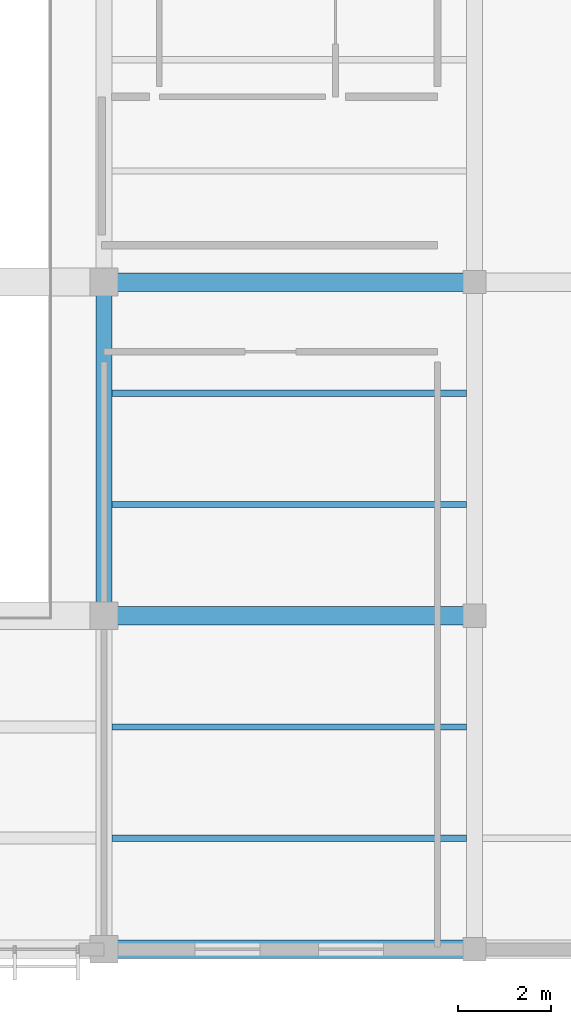
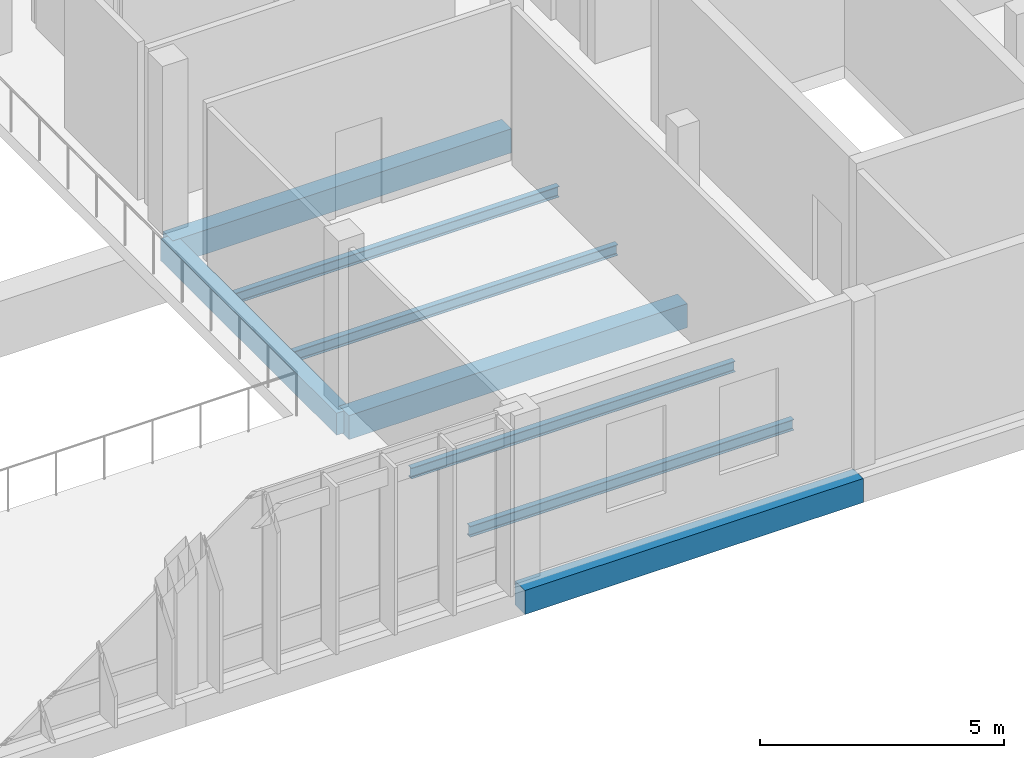
# One storey, part 18 of 182: 8 beams.
"""IFC4 building model written with IfcOpenShell, lengths in metres."""

from ifc_helpers import new_model, si_unit, direction, frame, origin, origin_2d, place, context, subcontext, project, spatial, rectangle, i_section, extrude, material, material_profile, profile_set, type_object, element, save


model = new_model("IFC4")

# Units and contexts
model_context = context("Model", 3, precision=1e-05, world=origin(), true_north=direction((0.0, 1.0)))
body_context = subcontext(model_context, "Body", "Model", "MODEL_VIEW")
ifc_project = project(units=[si_unit("LENGTHUNIT", "METRE"), si_unit("AREAUNIT", "SQUARE_METRE"), si_unit("VOLUMEUNIT", "CUBIC_METRE"), si_unit("PLANEANGLEUNIT", "RADIAN"), si_unit("MASSUNIT", "GRAM", prefix="KILO")], contexts=[model_context])

# Site, building, storey
site_placement = place(None, origin())
site = spatial("IfcSite", under=ifc_project, at=site_placement, CompositionType="ELEMENT")
building_placement = place(site_placement, origin())
building = spatial("IfcBuilding", under=site, at=building_placement, Name="Chiffa Square Polytechnic", CompositionType="ELEMENT")
storey_placement = place(building_placement, frame((0.0, 0.0, 9.60009765625)))
storey = spatial("IfcBuildingStorey", under=building, at=storey_placement, Name="L02", CompositionType="ELEMENT", Elevation=9.60009765625)

# Beams
ifc_material_1 = material(Name="Concrete C35/45", Category="concrete")
ifc_material_profile_1 = material_profile(ifc_material_1, rectangle(XDim=0.35009765625, YDim=0.550048828125, at=origin_2d()), Name="RC 350x550")
ifc_profile_set_1 = profile_set([ifc_material_profile_1], Name="Concrete C35/45")
beam_type_1 = type_object("IfcBeamType", Name="BM-RC-350X550", PredefinedType="BEAM", material=ifc_profile_set_1)
beam_placement = place(storey_placement, frame((24.0, 7.199951171875, -0.59521484375), z_axis=(0.0, 1.0, 0.0), x_axis=(-1.0, 0.0, 0.0)))
element("IfcBeam", 1, at=beam_placement, inside=storey, type_object=beam_type_1, Name="Primary floor girder BM-V3-L02-Y-0240-0072", PredefinedType="BEAM", context=body_context, shape_type="SweptSolid", body=[
    extrude(rectangle(XDim=0.35009765625, YDim=0.550048828125, at=origin_2d()), origin(), (0.0, 0.0, 1.0), 7.199951171875),
])
ifc_material_profile_2 = material_profile(ifc_material_1, rectangle(XDim=0.39990234375, YDim=0.60009765625, at=origin_2d()), Name="RC 400x600")
ifc_profile_set_2 = profile_set([ifc_material_profile_2], Name="Concrete C35/45")
beam_type_2 = type_object("IfcBeamType", Name="BM-RC-400X600", PredefinedType="BEAM", material=ifc_profile_set_2)
for number, where, z_axis, x_axis, name in (
    (2, (24.0, 0.0, -0.6201171875), (1.0, 0.0, 0.0), (0.0, 1.0, 0.0), "Primary floor girder BM-V3-L02-X-0240-0000"),
    (3, (24.0, 7.199951171875, -0.6201171875), (1.0, 0.0, 0.0), (0.0, 1.0, 0.0), "Primary floor girder BM-V3-L02-X-0240-0072"),
    (4, (24.0, 14.39990234375, -0.6201171875), (1.0, 0.0, 0.0), (0.0, 1.0, 0.0), "Primary floor girder BM-V3-L02-X-0240-0144"),
):
    element("IfcBeam", number, at=place(storey_placement, frame(where, z_axis=z_axis, x_axis=x_axis)), inside=storey, type_object=beam_type_2, Name=name, PredefinedType="BEAM", context=body_context, shape_type="SweptSolid", body=[
        extrude(rectangle(XDim=0.39990234375, YDim=0.60009765625, at=origin_2d()), origin(), (0.0, 0.0, 1.0), 8.0),
    ])
ifc_material_2 = material(Name="Steel S355", Category="steel")
ifc_material_profile_3 = material_profile(ifc_material_2, i_section(OverallWidth=0.135009765625, OverallDepth=0.27001953125, WebThickness=0.006591796875, FlangeThickness=0.01025390625, FilletRadius=0.014892578125, at=origin_2d()), Name="IPE 270")
ifc_profile_set_3 = profile_set([ifc_material_profile_3], Name="Steel S355")
beam_type_3 = type_object("IfcBeamType", Name="JST-STL-IPE270", PredefinedType="JOIST", material=ifc_profile_set_3)
for number, where, z_axis, x_axis, name in (
    (5, (24.173095703125, 2.39990234375, -0.455078125), (1.0, 0.0, 0.0), (0.0, 1.0, 0.0), "Secondary floor joist JST-V3-L02-0240-0024"),
    (6, (24.173095703125, 4.800048828125, -0.455078125), (1.0, 0.0, 0.0), (0.0, 1.0, 0.0), "Secondary floor joist JST-V3-L02-0240-0048"),
    (7, (24.173095703125, 9.60009765625, -0.455078125), (1.0, 0.0, 0.0), (0.0, 1.0, 0.0), "Secondary floor joist JST-V3-L02-0240-0096"),
    (8, (24.173095703125, 12.0, -0.455078125), (1.0, 0.0, 0.0), (0.0, 1.0, 0.0), "Secondary floor joist JST-V3-L02-0240-0120"),
):
    element("IfcBeam", number, at=place(storey_placement, frame(where, z_axis=z_axis, x_axis=x_axis)), inside=storey, type_object=beam_type_3, Name=name, PredefinedType="JOIST", context=body_context, shape_type="SweptSolid", body=[
        extrude(i_section(OverallWidth=0.135009765625, OverallDepth=0.27001953125, WebThickness=0.006591796875, FlangeThickness=0.01025390625, FilletRadius=0.014892578125, at=origin_2d()), origin(), (0.0, 0.0, 1.0), 7.65380859375),
    ])

save(model, "model.ifc")
